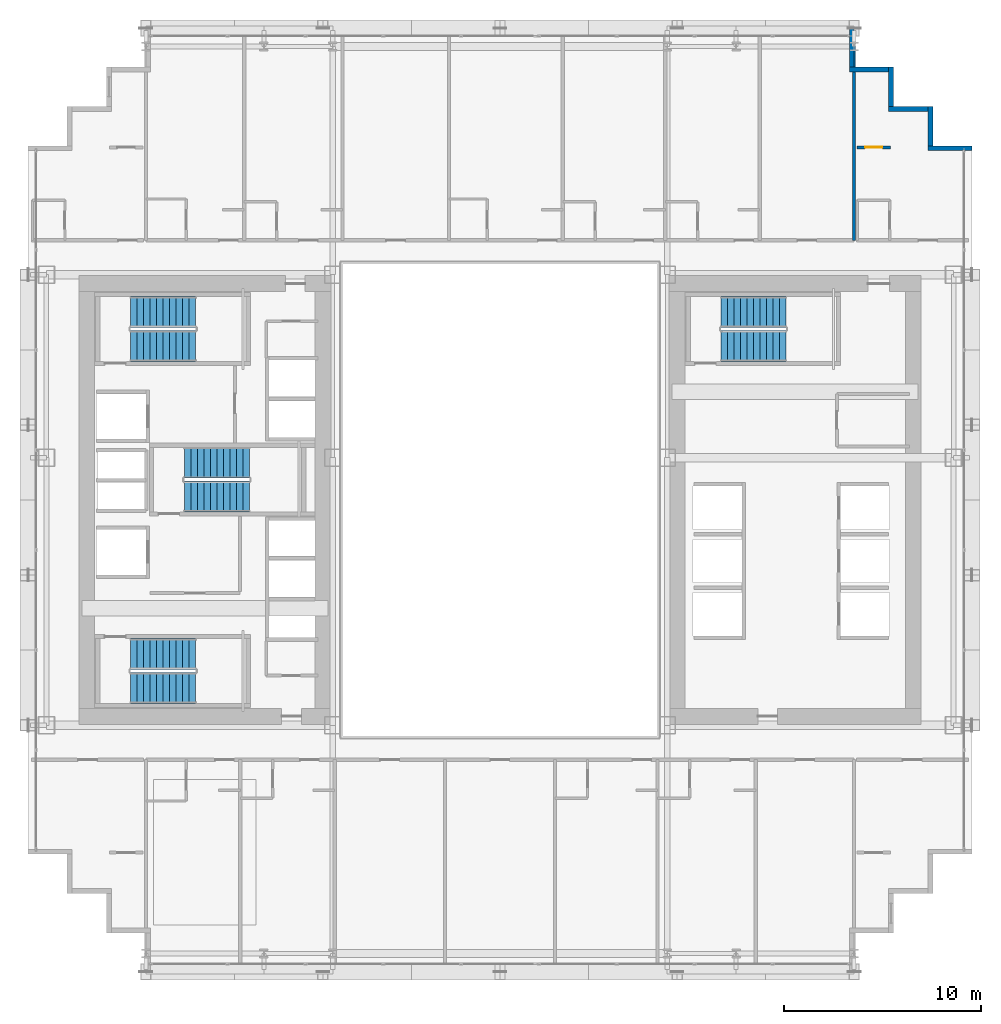
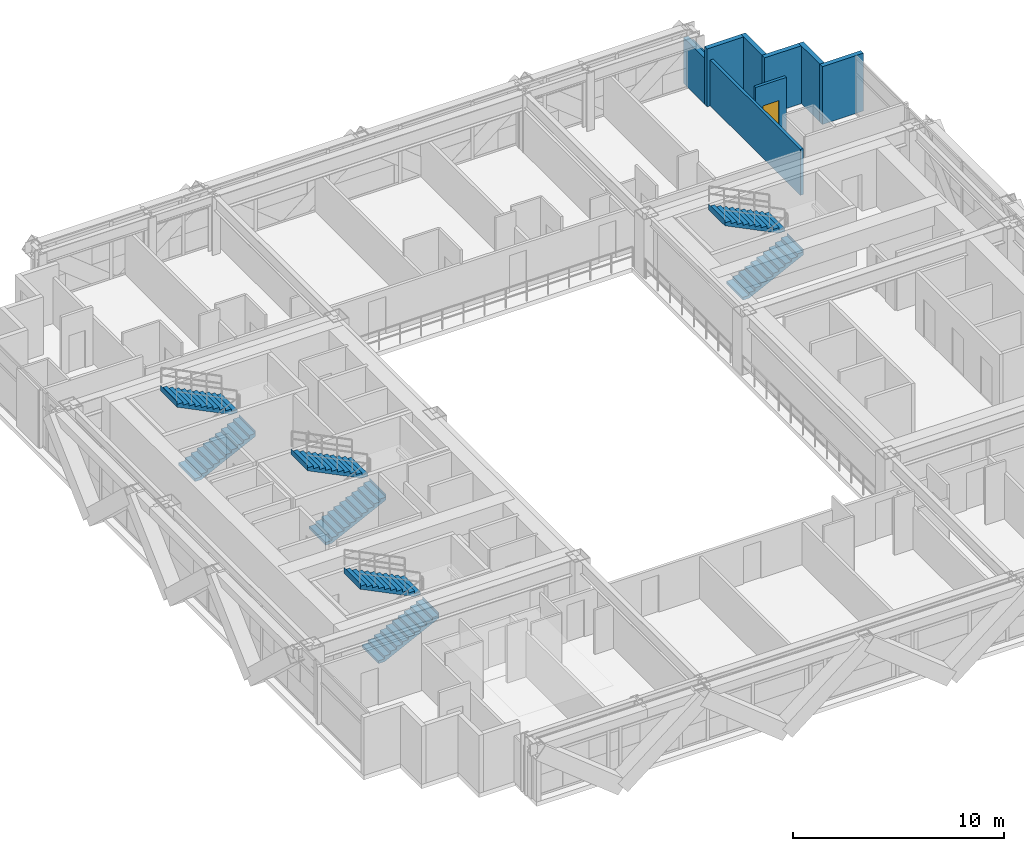
# One storey, part 34 of 38: 8 stair flights, 8 walls, 1 door, 1 opening, 4 elements without a shape of their own.
"""IFC4 building model written with IfcOpenShell, lengths in metres."""

from ifc_helpers import new_model, si_unit, direction, frame, frame_2d, origin, place, context, subcontext, project, spatial, polyline, rectangle, outline, extrude, source, transform, mapped, material, layer, layer_set, type_object, element, fill, aggregate, save


model = new_model("IFC4")

# Units and contexts
model_context = context("Model", 3, precision=1e-05, world=origin(), true_north=direction((0.0, 1.0)))
body_context = subcontext(model_context, "Body", "Model", "MODEL_VIEW")
ifc_project = project(units=[si_unit("LENGTHUNIT", "METRE"), si_unit("AREAUNIT", "SQUARE_METRE"), si_unit("VOLUMEUNIT", "CUBIC_METRE"), si_unit("PLANEANGLEUNIT", "RADIAN"), si_unit("MASSUNIT", "GRAM", prefix="KILO")], contexts=[model_context])

# Site, building, storey
site_placement = place(None, origin())
site = spatial("IfcSite", under=ifc_project, at=site_placement, CompositionType="ELEMENT")
building_placement = place(site_placement, origin())
building = spatial("IfcBuilding", under=site, at=building_placement, Name="Ocotamira Hotel", CompositionType="ELEMENT")
storey_placement = place(building_placement, frame((0.0, 0.0, 74.39990234375)))
storey = spatial("IfcBuildingStorey", under=building, at=storey_placement, Name="L18", CompositionType="ELEMENT", Elevation=74.39990234375)

# Walls
ifc_material_1 = material(Name="Precast concrete C45/55", Category="concrete")
ifc_layer_1 = layer(ifc_material_1, 0.25)
ifc_layer_set_1 = layer_set([ifc_layer_1], Name="Precast concrete C45/55")
wall_type_1 = type_object("IfcWallType", Name="WL-EXT-SER-250", PredefinedType="SOLIDWALL", material=ifc_layer_set_1)
wall_1_placement = place(storey_placement, frame((56.0, 43.875, 0.0), z_axis=(0.0, 0.0, 1.0), x_axis=(-1.0, 0.0, 0.0)))
element("IfcWall", 1, at=wall_1_placement, inside=storey, type_object=wall_type_1, Name="L18 Serrated Corner Wall 07", PredefinedType="SOLIDWALL", context=body_context, shape_type="SweptSolid", body=[
    extrude(rectangle(XDim=2.25, YDim=0.25, at=frame_2d((1.125, 0.0))), origin(), (0.0, 0.0, 1.0), 3.35009765625),
])
for number, where, z_axis, x_axis, name in (
    (2, (53.875, 44.0, 0.0), (0.0, 0.0, 1.0), (0.0, 1.0, 0.0), "L18 Serrated Corner Wall 08"),
    (3, (53.75, 45.875, 0.0), (0.0, 0.0, 1.0), (-1.0, 0.0, 0.0), "L18 Serrated Corner Wall 09"),
    (4, (51.875, 46.0, 0.0), (0.0, 0.0, 1.0), (0.0, 1.0, 0.0), "L18 Serrated Corner Wall 10"),
    (5, (51.75, 47.875, 0.0), (0.0, 0.0, 1.0), (-1.0, 0.0, 0.0), "L18 Serrated Corner Wall 11"),
):
    element("IfcWall", number, at=place(storey_placement, frame(where, z_axis=z_axis, x_axis=x_axis)), inside=storey, type_object=wall_type_1, Name=name, PredefinedType="SOLIDWALL", context=body_context, shape_type="SweptSolid", body=[
        extrude(rectangle(XDim=2.0, YDim=0.25, at=frame_2d((1.0, 0.0))), origin(), (0.0, 0.0, 1.0), 3.35009765625),
    ])
wall_2_placement = place(storey_placement, frame((49.875, 48.0, 0.0), z_axis=(0.0, 0.0, 1.0), x_axis=(0.0, 1.0, 0.0)))
element("IfcWall", 6, at=wall_2_placement, inside=storey, type_object=wall_type_1, Name="L18 Serrated Corner Wall 12", PredefinedType="SOLIDWALL", context=body_context, shape_type="SweptSolid", body=[
    extrude(rectangle(XDim=2.0, YDim=0.25, at=frame_2d((1.0, 0.0))), origin(), (0.0, 0.0, 1.0), 2.656982421875),
])

# Wall, opening, door
ifc_material_2 = material(Name="Acoustic double-layer fire gypsum board partition", Category="gypsum")
ifc_layer_2 = layer(ifc_material_2, 0.159912109375)
ifc_layer_set_2 = layer_set([ifc_layer_2], Name="Acoustic double-layer fire gypsum board partition")
wall_type_2 = type_object("IfcWallType", Name="WL-FIRE-160", PredefinedType="PARTITIONING", material=ifc_layer_set_2)
wall_3_placement = place(storey_placement, frame((50.14990234375, 43.919921875, 0.0), z_axis=(0.0, 0.0, 1.0), x_axis=(1.0, 0.0, 0.0)))
wall_3 = element("IfcWall", 7, at=wall_3_placement, inside=storey, type_object=wall_type_2, Name="L18 Interior Wall PW-L18-Z1D-CNE2-CW", PredefinedType="PARTITIONING", context=body_context, shape_type="SweptSolid", body=[
    extrude(rectangle(XDim=1.7001953125, YDim=0.159912109375, at=frame_2d((0.85009765625, 0.0))), origin(), (0.0, 0.0, 1.0), 3.35009765625),
])
opening_placement = place(wall_3_placement, frame((0.409912109375, 0.0, 0.0)))
opening = element("IfcOpeningElement", 8, at=opening_placement, cuts=wall_3, Name="Opening D-SV2", PredefinedType="OPENING", context=body_context, shape_type="SweptSolid", body=[
    extrude(rectangle(XDim=0.8798828125, YDim=2.14990234375, at=frame_2d((0.43994140625, 1.074951171875))), frame((0.0, 0.08984375, 0.0), z_axis=(0.0, -1.0, 0.0), x_axis=(1.0, 0.0, 0.0)), (0.0, 0.0, 1.0), 0.179931640625),
])
ifc_material_3 = material(Name="Fire-rated painted steel service door", Category="steel")
door_type = type_object("IfcDoorType", Name="DR-SERV-880", OperationType="NOTDEFINED", PredefinedType="DOOR", material=ifc_material_3)
shared_shape_1 = source(origin(), body_context, "Body", "SweptSolid", [
    extrude(rectangle(XDim=0.8798828125, YDim=2.14990234375, at=frame_2d((0.43994140625, 1.074951171875))), frame((0.0, 0.02490234375, 0.0), z_axis=(0.0, -1.0, 0.0), x_axis=(1.0, 0.0, 0.0)), (0.0, 0.0, 1.0), 0.050048828125),
])
door_placement = place(opening_placement, origin())
door = element("IfcDoor", 9, at=door_placement, inside=storey, type_object=door_type, Name="L18 Door ID-L18-Z1D-CNE2-CD [ID-L18-Z1D-CNE2-CD]", OperationType="SINGLE_SWING_LEFT", OverallHeight=2.14990234375, OverallWidth=0.8798828125, PredefinedType="DOOR", context=body_context, shape_type="MappedRepresentation", body=[
    mapped(shared_shape_1, transform((0.0, 0.0, 0.0), scale=1.0)),
])
fill(opening, door)

# Wall
ifc_material_4 = material(Name="Acoustic double-stud hospitality gypsum partition", Category="gypsum")
ifc_layer_3 = layer(ifc_material_4, 0.159912109375)
ifc_layer_set_3 = layer_set([ifc_layer_3], Name="Acoustic double-stud hospitality gypsum partition")
wall_type_3 = type_object("IfcWallType", Name="WL-PART-160", PredefinedType="PARTITIONING", material=ifc_layer_set_3)
wall_4_placement = place(storey_placement, frame((50.0, 39.199951171875, 0.0), z_axis=(0.0, 0.0, 1.0), x_axis=(0.0, 1.0, 0.0)))
element("IfcWall", 10, at=wall_4_placement, inside=storey, type_object=wall_type_3, Name="L18 Interior Wall PW-L18-Z1DN-PWEND", PredefinedType="PARTITIONING", context=body_context, shape_type="SweptSolid", body=[
    extrude(rectangle(XDim=10.43994140625, YDim=0.159912109375, at=frame_2d((5.219970703125, 0.0))), origin(), (0.0, 0.0, 1.0), 2.656982421875),
])

# Stair, stair flights
ifc_material_5 = material(Name="Concrete C40/50", Category="concrete")
stair_type = type_object("IfcStairType", Name="ST-CORE-1560", PredefinedType="HALF_TURN_STAIR", material=ifc_material_5)
stair_1_placement = place(storey_placement, origin())
stair_1 = element("IfcStair", 11, at=stair_1_placement, inside=storey, type_object=stair_type, Name="L18 Exit Stair ST-1", PredefinedType="HALF_TURN_STAIR")
stair_flight_type = type_object("IfcStairFlightType", Name="STF-CORE-1560", PredefinedType="STRAIGHT", material=ifc_material_5)
shared_shape_2 = source(origin(), body_context, "Body", "SweptSolid", [
    extrude(outline(polyline([(-0.00390625, 0.0), (-0.00390625, 0.16357421875), (0.330078125, 0.16357421875), (0.330078125, 0.327392578125), (0.659912109375, 0.327392578125), (0.659912109375, 0.490966796875), (0.989990234375, 0.490966796875), (0.989990234375, 0.654541015625), (1.320068359375, 0.654541015625), (1.320068359375, 0.818115234375), (1.64990234375, 0.818115234375), (1.64990234375, 0.98193359375), (1.97998046875, 0.98193359375), (1.97998046875, 1.1455078125), (2.31005859375, 1.1455078125), (2.31005859375, 1.30908203125), (2.639892578125, 1.30908203125), (2.639892578125, 1.47265625), (2.969970703125, 1.47265625), (2.969970703125, 1.636474609375), (3.300048828125, 1.636474609375), (3.300048828125, 1.800048828125), (3.303955078125, 1.800048828125), (3.303955078125, 1.468994140625), (0.33740234375, 0.0), (-0.00390625, 0.0)])), frame((0.0, 0.780029296875, 0.0), z_axis=(0.0, -1.0, 0.0), x_axis=(1.0, 0.0, 0.0)), (0.0, 0.0, 1.0), 1.56005859375),
])
stair_flight_1_placement = place(storey_placement, frame((13.22998046875, 16.449951171875, 0.0), z_axis=(0.0, 0.0, 1.0), x_axis=(1.0, 0.0, 0.0)))
stair_flight_1 = element("IfcStairFlight", 12, at=stair_flight_1_placement, type_object=stair_flight_type, Name="ST-1 flight 1", NumberOfRisers=11, NumberOfTreads=10, PredefinedType="STRAIGHT", RiserHeight=0.163636364, TreadLength=0.33, context=body_context, shape_type="MappedRepresentation", body=[
    mapped(shared_shape_2, transform((0.0, 0.0, 0.0), scale=1.0)),
])
stair_flight_2_placement = place(storey_placement, frame((16.530029296875, 18.169921875, 1.800048828125), z_axis=(0.0, 0.0, 1.0), x_axis=(-1.0, 0.0, 0.0)))
stair_flight_2 = element("IfcStairFlight", 13, at=stair_flight_2_placement, type_object=stair_flight_type, Name="ST-1 flight 2", NumberOfRisers=11, NumberOfTreads=10, PredefinedType="STRAIGHT", RiserHeight=0.163636364, TreadLength=0.33, context=body_context, shape_type="MappedRepresentation", body=[
    mapped(shared_shape_2, transform((0.0, 0.0, 0.0), scale=1.0)),
])
aggregate(stair_1, [stair_flight_1, stair_flight_2])

stair_2_placement = place(storey_placement, origin())
stair_2 = element("IfcStair", 14, at=stair_2_placement, inside=storey, type_object=stair_type, Name="L18 Exit Stair ST-2", PredefinedType="HALF_TURN_STAIR")
stair_flight_3_placement = place(storey_placement, frame((13.22998046875, 33.830078125, 0.0), z_axis=(0.0, 0.0, 1.0), x_axis=(1.0, 0.0, 0.0)))
stair_flight_3 = element("IfcStairFlight", 15, at=stair_flight_3_placement, type_object=stair_flight_type, Name="ST-2 flight 1", NumberOfRisers=11, NumberOfTreads=10, PredefinedType="STRAIGHT", RiserHeight=0.163636364, TreadLength=0.33, context=body_context, shape_type="MappedRepresentation", body=[
    mapped(shared_shape_2, transform((0.0, 0.0, 0.0), scale=1.0)),
])
stair_flight_4_placement = place(storey_placement, frame((16.530029296875, 35.550048828125, 1.800048828125), z_axis=(0.0, 0.0, 1.0), x_axis=(-1.0, 0.0, 0.0)))
stair_flight_4 = element("IfcStairFlight", 16, at=stair_flight_4_placement, type_object=stair_flight_type, Name="ST-2 flight 2", NumberOfRisers=11, NumberOfTreads=10, PredefinedType="STRAIGHT", RiserHeight=0.163636364, TreadLength=0.33, context=body_context, shape_type="MappedRepresentation", body=[
    mapped(shared_shape_2, transform((0.0, 0.0, 0.0), scale=1.0)),
])
aggregate(stair_2, [stair_flight_3, stair_flight_4])

stair_3_placement = place(storey_placement, origin())
stair_3 = element("IfcStair", 17, at=stair_3_placement, inside=storey, type_object=stair_type, Name="L18 Exit Stair ST-3", PredefinedType="HALF_TURN_STAIR")
stair_flight_5_placement = place(storey_placement, frame((15.9599609375, 26.179931640625, 0.0), z_axis=(0.0, 0.0, 1.0), x_axis=(1.0, 0.0, 0.0)))
stair_flight_5 = element("IfcStairFlight", 18, at=stair_flight_5_placement, type_object=stair_flight_type, Name="ST-3 flight 1", NumberOfRisers=11, NumberOfTreads=10, PredefinedType="STRAIGHT", RiserHeight=0.163636364, TreadLength=0.33, context=body_context, shape_type="MappedRepresentation", body=[
    mapped(shared_shape_2, transform((0.0, 0.0, 0.0), scale=1.0)),
])
stair_flight_6_placement = place(storey_placement, frame((19.260009765625, 27.89990234375, 1.800048828125), z_axis=(0.0, 0.0, 1.0), x_axis=(-1.0, 0.0, 0.0)))
stair_flight_6 = element("IfcStairFlight", 19, at=stair_flight_6_placement, type_object=stair_flight_type, Name="ST-3 flight 2", NumberOfRisers=11, NumberOfTreads=10, PredefinedType="STRAIGHT", RiserHeight=0.163636364, TreadLength=0.33, context=body_context, shape_type="MappedRepresentation", body=[
    mapped(shared_shape_2, transform((0.0, 0.0, 0.0), scale=1.0)),
])
aggregate(stair_3, [stair_flight_5, stair_flight_6])

stair_4_placement = place(storey_placement, origin())
stair_4 = element("IfcStair", 20, at=stair_4_placement, inside=storey, type_object=stair_type, Name="L18 Exit Stair ST-4", PredefinedType="HALF_TURN_STAIR")
stair_flight_7_placement = place(storey_placement, frame((43.22998046875, 33.830078125, 0.0), z_axis=(0.0, 0.0, 1.0), x_axis=(1.0, 0.0, 0.0)))
stair_flight_7 = element("IfcStairFlight", 21, at=stair_flight_7_placement, type_object=stair_flight_type, Name="ST-4 flight 1", NumberOfRisers=11, NumberOfTreads=10, PredefinedType="STRAIGHT", RiserHeight=0.163636364, TreadLength=0.33, context=body_context, shape_type="MappedRepresentation", body=[
    mapped(shared_shape_2, transform((0.0, 0.0, 0.0), scale=1.0)),
])
stair_flight_8_placement = place(storey_placement, frame((46.530029296875, 35.550048828125, 1.800048828125), z_axis=(0.0, 0.0, 1.0), x_axis=(-1.0, 0.0, 0.0)))
stair_flight_8 = element("IfcStairFlight", 22, at=stair_flight_8_placement, type_object=stair_flight_type, Name="ST-4 flight 2", NumberOfRisers=11, NumberOfTreads=10, PredefinedType="STRAIGHT", RiserHeight=0.163636364, TreadLength=0.33, context=body_context, shape_type="MappedRepresentation", body=[
    mapped(shared_shape_2, transform((0.0, 0.0, 0.0), scale=1.0)),
])
aggregate(stair_4, [stair_flight_7, stair_flight_8])

save(model, "model.ifc")
